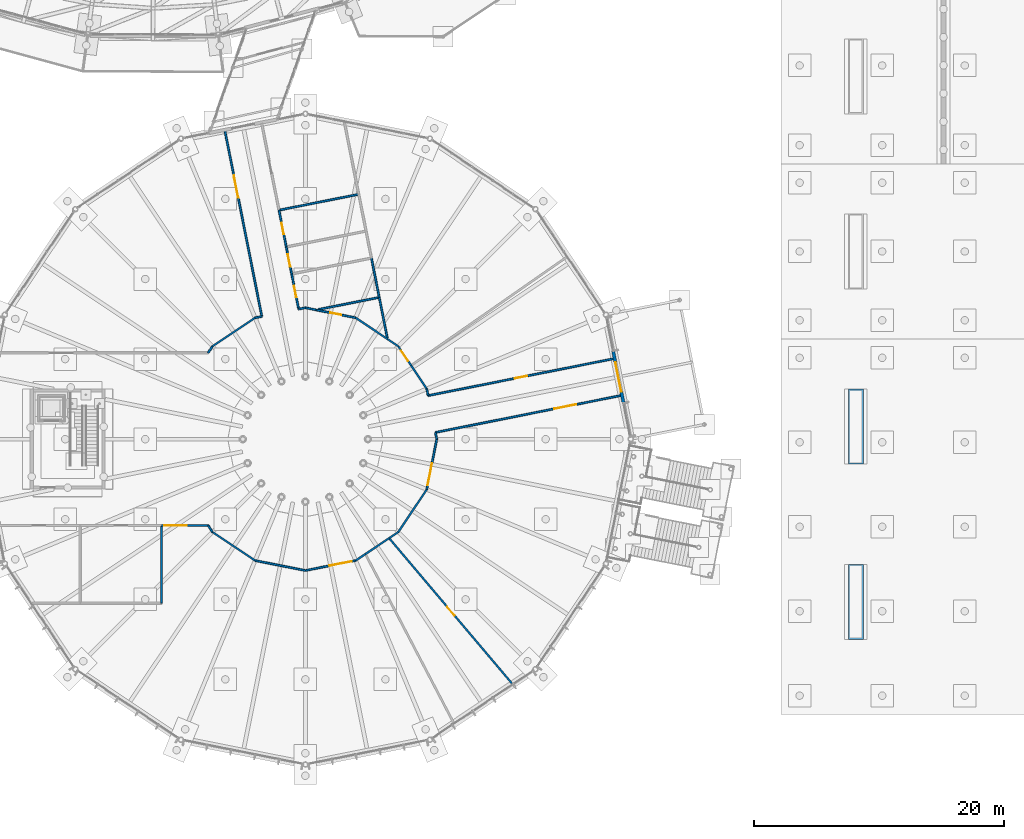
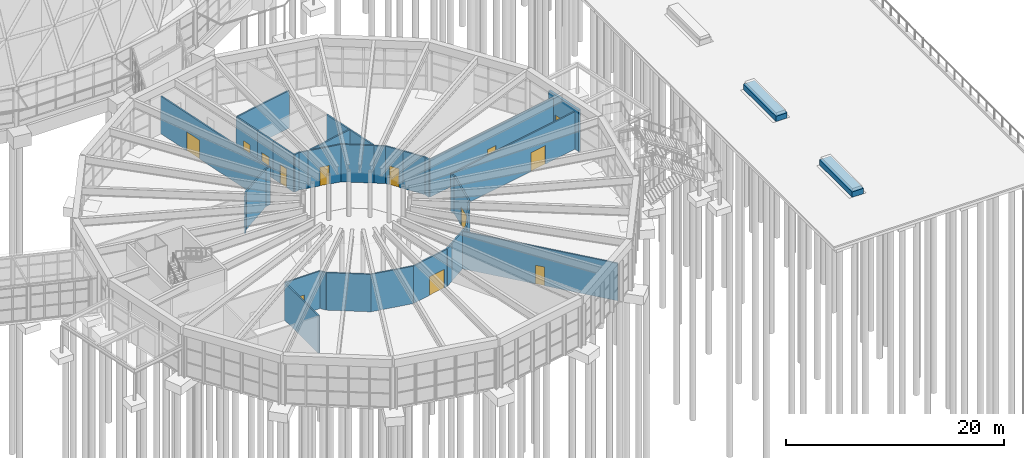
# One storey, part 173 of 226: 37 walls, 13 doors, 13 openings.
"""IFC4 building model written with IfcOpenShell, lengths in metres."""

from ifc_helpers import new_model, si_unit, direction, frame, frame_2d, origin, place, context, subcontext, project, spatial, rectangle, extrude, material, layer, layer_set, type_object, element, fill, save


model = new_model("IFC4")

# Units and contexts
model_context = context("Model", 3, precision=1e-05, world=origin(), true_north=direction((0.0, 1.0)))
body_context = subcontext(model_context, "Body", "Model", "MODEL_VIEW")
ifc_project = project(units=[si_unit("LENGTHUNIT", "METRE"), si_unit("AREAUNIT", "SQUARE_METRE"), si_unit("VOLUMEUNIT", "CUBIC_METRE"), si_unit("PLANEANGLEUNIT", "RADIAN"), si_unit("MASSUNIT", "GRAM", prefix="KILO")], contexts=[model_context])

# Site, building, storey
site_placement = place(None, origin())
site = spatial("IfcSite", under=ifc_project, at=site_placement, CompositionType="ELEMENT")
building_placement = place(site_placement, origin())
building = spatial("IfcBuilding", under=site, at=building_placement, Name="Ceibo Conservatory and Research Tower", CompositionType="ELEMENT")
storey_placement = place(building_placement, origin())
storey = spatial("IfcBuildingStorey", under=building, at=storey_placement, Name="L00", CompositionType="ELEMENT", Elevation=0.0)

# Wall, opening, door
ifc_material_1 = material(Name="Plasterboard on metal studs, fire board")
ifc_layer_1 = layer(ifc_material_1, 0.14990234375)
ifc_layer_set_1 = layer_set([ifc_layer_1], Name="Plasterboard on metal studs, fire board")
wall_type_1 = type_object("IfcWallType", Name="Corridor wall 150 EI 60", PredefinedType="PARTITIONING", material=ifc_layer_set_1)
wall_1_placement = place(storey_placement, frame((168.85693359375, 46.32958984375, 0.0), z_axis=(0.0, 0.0, 1.0), x_axis=(0.980781167848, -0.19511099609, 0.0)))
wall_1 = element("IfcWall", 1, at=wall_1_placement, inside=storey, type_object=wall_type_1, Name="Partition 00.001", PredefinedType="PARTITIONING", context=body_context, shape_type="SweptSolid", body=[
    extrude(rectangle(XDim=3.223388671875, YDim=0.14990234375, at=frame_2d((1.61181640625, 0.0))), origin(), (0.0, 0.0, 1.0), 4.199951171875),
])
opening_1_placement = place(wall_1_placement, frame((1.16162109375, 0.0, 0.0)))
opening_1 = element("IfcOpeningElement", 2, at=opening_1_placement, cuts=wall_1, Name="Opening VC00-02", PredefinedType="OPENING", context=body_context, shape_type="SweptSolid", body=[
    extrude(rectangle(XDim=0.89990234375, YDim=2.10009765625, at=frame_2d((0.449951171875, 1.050048828125))), frame((0.0, 0.0849609375, 0.0), z_axis=(0.0, -1.0, 0.0), x_axis=(1.0, 0.0, 0.0)), (0.0, 0.0, 1.0), 0.169921875),
])
ifc_material_2 = material(Name="Galvanised sheet steel DX51D", Category="steel")
door_type_1 = type_object("IfcDoorType", Name="Door fire single 900x2100 EI 60 (left hand)", OperationType="SINGLE_SWING_LEFT", PredefinedType="DOOR", material=ifc_material_2)
door_1_placement = place(opening_1_placement, origin())
door_1 = element("IfcDoor", 3, at=door_1_placement, inside=storey, type_object=door_type_1, Name="Visitor Centre Women's WC door", OperationType="SINGLE_SWING_LEFT", OverallHeight=2.10009765625, OverallWidth=0.89990234375, PredefinedType="DOOR", context=body_context, shape_type="SweptSolid", body=[
    extrude(rectangle(XDim=0.89990234375, YDim=2.10009765625, at=frame_2d((0.449951171875, 1.050048828125))), frame((0.0, 0.02490234375, 0.0), z_axis=(0.0, -1.0, 0.0), x_axis=(1.0, 0.0, 0.0)), (0.0, 0.0, 1.0), 0.050048828125),
])
fill(opening_1, door_1)

# Walls
wall_2_placement = place(storey_placement, frame((172.018310546875, 45.70068359375, 0.0), z_axis=(0.0, 0.0, 1.0), x_axis=(0.831461363182, -0.555582578503, 0.0)))
element("IfcWall", 4, at=wall_2_placement, inside=storey, type_object=wall_type_1, Name="Partition 00.002", PredefinedType="PARTITIONING", context=body_context, shape_type="SweptSolid", body=[
    extrude(rectangle(XDim=3.063720703125, YDim=0.14990234375, at=frame_2d((1.53173828125, 0.0))), origin(), (0.0, 0.0, 1.0), 4.199951171875),
])
wall_3_placement = place(storey_placement, frame((167.463134765625, 46.393310546875, 0.0), z_axis=(0.0, 0.0, 1.0), x_axis=(0.980820110425, 0.194915137906, 0.0)))
element("IfcWall", 5, at=wall_3_placement, inside=storey, type_object=wall_type_1, Name="Partition 00.003", PredefinedType="PARTITIONING", context=body_context, shape_type="SweptSolid", body=[
    extrude(rectangle(XDim=0.54736328125, YDim=0.14990234375, at=frame_2d((0.273681640625, 0.0))), origin(), (0.0, 0.0, 1.0), 4.199951171875),
])
wall_4_placement = place(storey_placement, frame((168.0, 46.5, 0.0), z_axis=(0.0, 0.0, 1.0), x_axis=(0.980804386409, -0.194994245046, 0.0)))
element("IfcWall", 6, at=wall_4_placement, inside=storey, type_object=wall_type_1, Name="Partition 00.004", PredefinedType="PARTITIONING", context=body_context, shape_type="SweptSolid", body=[
    extrude(rectangle(XDim=0.87890625, YDim=0.14990234375, at=frame_2d((0.439453125, 0.0))), origin(), (0.0, 0.0, 1.0), 4.199951171875),
])
wall_5_placement = place(storey_placement, frame((176.451171875, 41.888427734375, 0.0), z_axis=(0.0, 0.0, 1.0), x_axis=(0.555551594428, -0.831482065909, 0.0)))
element("IfcWall", 7, at=wall_5_placement, inside=storey, type_object=wall_type_1, Name="Partition 00.005", PredefinedType="PARTITIONING", context=body_context, shape_type="SweptSolid", body=[
    extrude(rectangle(XDim=2.2490234375, YDim=0.14990234375, at=frame_2d((1.12451171875, 0.0))), origin(), (0.0, 0.0, 1.0), 4.199951171875),
])
wall_6_placement = place(storey_placement, frame((177.70068359375, 40.018310546875, 0.0), z_axis=(0.0, 0.0, 1.0), x_axis=(0.194917863486, -0.980819568776, 0.0)))
element("IfcWall", 8, at=wall_6_placement, inside=storey, type_object=wall_type_1, Name="Partition 00.006", PredefinedType="PARTITIONING", context=body_context, shape_type="SweptSolid", body=[
    extrude(rectangle(XDim=0.548583984375, YDim=0.14990234375, at=frame_2d((0.2744140625, 0.0))), origin(), (0.0, 0.0, 1.0), 4.199951171875),
])
wall_7_placement = place(storey_placement, frame((174.565673828125, 43.99853515625, 0.0), z_axis=(0.0, 0.0, 1.0), x_axis=(0.831431667018, -0.555627017953, 0.0)))
element("IfcWall", 9, at=wall_7_placement, inside=storey, type_object=wall_type_1, Name="Partition 00.007", PredefinedType="PARTITIONING", context=body_context, shape_type="SweptSolid", body=[
    extrude(rectangle(XDim=1.032958984375, YDim=0.14990234375, at=frame_2d((0.5166015625, 0.0))), origin(), (0.0, 0.0, 1.0), 4.199951171875),
])

# Wall, opening, door
wall_8_placement = place(storey_placement, frame((175.424560546875, 43.424560546875, 0.0), z_axis=(0.0, 0.0, 1.0), x_axis=(0.555645141411, -0.831419555234, 0.0)))
wall_8 = element("IfcWall", 10, at=wall_8_placement, inside=storey, type_object=wall_type_1, Name="Partition 00.008", PredefinedType="PARTITIONING", context=body_context, shape_type="SweptSolid", body=[
    extrude(rectangle(XDim=1.84765625, YDim=0.14990234375, at=frame_2d((0.923828125, 0.0))), origin(), (0.0, 0.0, 1.0), 4.199951171875),
])
opening_2_placement = place(wall_8_placement, frame((0.423828125, 0.0, 0.0)))
opening_2 = element("IfcOpeningElement", 11, at=opening_2_placement, cuts=wall_8, Name="Opening VC00-10", PredefinedType="OPENING", context=body_context, shape_type="SweptSolid", body=[
    extrude(rectangle(XDim=1.0, YDim=2.10009765625, at=frame_2d((0.5, 1.050048828125))), frame((0.0, 0.0849609375, 0.0), z_axis=(0.0, -1.0, 0.0), x_axis=(1.0, 0.0, 0.0)), (0.0, 0.0, 1.0), 0.169921875),
])
door_type_2 = type_object("IfcDoorType", Name="Door fire single wide 1000x2100 EI 60 (right hand)", OperationType="SINGLE_SWING_RIGHT", PredefinedType="DOOR", material=ifc_material_2)
door_2_placement = place(opening_2_placement, origin())
door_2 = element("IfcDoor", 12, at=door_2_placement, inside=storey, type_object=door_type_2, Name="Visitor Centre Shop door", OperationType="SINGLE_SWING_RIGHT", OverallHeight=2.10009765625, OverallWidth=1.0, PredefinedType="DOOR", context=body_context, shape_type="SweptSolid", body=[
    extrude(rectangle(XDim=1.0, YDim=2.10009765625, at=frame_2d((0.5, 1.050048828125))), frame((0.0, 0.02490234375, 0.0), z_axis=(0.0, -1.0, 0.0), x_axis=(1.0, 0.0, 0.0)), (0.0, 0.0, 1.0), 0.050048828125),
])
fill(opening_2, door_2)

# Walls
wall_9_placement = place(storey_placement, frame((160.224853515625, 42.89990234375, 0.0), z_axis=(0.0, 0.0, 1.0), x_axis=(0.555592729971, 0.83145457988, 0.0)))
element("IfcWall", 13, at=wall_9_placement, inside=storey, type_object=wall_type_1, Name="Partition 00.009", PredefinedType="PARTITIONING", context=body_context, shape_type="SweptSolid", body=[
    extrude(rectangle(XDim=0.631103515625, YDim=0.14990234375, at=frame_2d((0.3154296875, 0.0))), origin(), (0.0, 0.0, 1.0), 4.199951171875),
])
wall_10_placement = place(storey_placement, frame((160.575439453125, 43.424560546875, 0.0), z_axis=(0.0, 0.0, 1.0), x_axis=(0.831453875311, 0.55559378437, 0.0)))
element("IfcWall", 14, at=wall_10_placement, inside=storey, type_object=wall_type_1, Name="Partition 00.010", PredefinedType="PARTITIONING", context=body_context, shape_type="SweptSolid", body=[
    extrude(rectangle(XDim=4.0966796875, YDim=0.14990234375, at=frame_2d((2.04833984375, 0.0))), origin(), (0.0, 0.0, 1.0), 4.199951171875),
])
wall_11_placement = place(storey_placement, frame((163.981689453125, 45.70068359375, 0.0), z_axis=(0.0, 0.0, 1.0), x_axis=(0.980819568776, 0.194917863486, 0.0)))
element("IfcWall", 15, at=wall_11_placement, inside=storey, type_object=wall_type_1, Name="Partition 00.011", PredefinedType="PARTITIONING", context=body_context, shape_type="SweptSolid", body=[
    extrude(rectangle(XDim=0.548583984375, YDim=0.14990234375, at=frame_2d((0.2744140625, 0.0))), origin(), (0.0, 0.0, 1.0), 4.199951171875),
])
wall_12_placement = place(storey_placement, frame((172.796630859375, 26.819580078125, 0.0), z_axis=(0.0, 0.0, 1.0), x_axis=(-0.831367624569, -0.555722838129, 0.0)))
element("IfcWall", 16, at=wall_12_placement, inside=storey, type_object=wall_type_1, Name="Partition 00.012", PredefinedType="PARTITIONING", context=body_context, shape_type="SweptSolid", body=[
    extrude(rectangle(XDim=0.936279296875, YDim=0.14990234375, at=frame_2d((0.46826171875, 0.0))), origin(), (0.0, 0.0, 1.0), 4.199951171875),
])

# Wall, opening, door
wall_13_placement = place(storey_placement, frame((172.018310546875, 26.29931640625, 0.0), z_axis=(0.0, 0.0, 1.0), x_axis=(-0.980784124851, -0.195096131281, 0.0)))
wall_13 = element("IfcWall", 17, at=wall_13_placement, inside=storey, type_object=wall_type_1, Name="Partition 00.013", PredefinedType="PARTITIONING", context=body_context, shape_type="SweptSolid", body=[
    extrude(rectangle(XDim=4.096923828125, YDim=0.14990234375, at=frame_2d((2.04833984375, 0.0))), origin(), (0.0, 0.0, 1.0), 4.199951171875),
])
opening_3_placement = place(wall_13_placement, frame((0.3291015625, 0.0, 0.0)))
opening_3 = element("IfcOpeningElement", 18, at=opening_3_placement, cuts=wall_13, Name="Opening VC00-13", PredefinedType="OPENING", context=body_context, shape_type="SweptSolid", body=[
    extrude(rectangle(XDim=1.800048828125, YDim=2.10009765625, at=frame_2d((0.89990234375, 1.050048828125))), frame((0.0, 0.0849609375, 0.0), z_axis=(0.0, -1.0, 0.0), x_axis=(1.0, 0.0, 0.0)), (0.0, 0.0, 1.0), 0.169921875),
])
door_type_3 = type_object("IfcDoorType", Name="Door fire double 1800x2100 EI 60", OperationType="DOUBLE_DOOR_SINGLE_SWING", PredefinedType="DOOR", material=ifc_material_2)
door_3_placement = place(opening_3_placement, frame((1.800048828125, 0.0, 0.0), z_axis=(0.0, 0.0, 1.0), x_axis=(-1.0, 0.0, 0.0)))
door_3 = element("IfcDoor", 19, at=door_3_placement, inside=storey, type_object=door_type_3, Name="Visitor Centre Orientation Exhibition door", OperationType="DOUBLE_DOOR_SINGLE_SWING", OverallHeight=2.10009765625, OverallWidth=1.800048828125, PredefinedType="DOOR", context=body_context, shape_type="SweptSolid", body=[
    extrude(rectangle(XDim=1.800048828125, YDim=2.10009765625, at=frame_2d((0.89990234375, 1.050048828125))), frame((0.0, 0.02490234375, 0.0), z_axis=(0.0, -1.0, 0.0), x_axis=(1.0, 0.0, 0.0)), (0.0, 0.0, 1.0), 0.050048828125),
])
fill(opening_3, door_3)

# Walls
wall_14_placement = place(storey_placement, frame((168.0, 25.5, 0.0), z_axis=(0.0, 0.0, 1.0), x_axis=(-0.980784124851, 0.195096131281, 0.0)))
element("IfcWall", 20, at=wall_14_placement, inside=storey, type_object=wall_type_1, Name="Partition 00.014", PredefinedType="PARTITIONING", context=body_context, shape_type="SweptSolid", body=[
    extrude(rectangle(XDim=4.096923828125, YDim=0.14990234375, at=frame_2d((2.04833984375, 0.0))), origin(), (0.0, 0.0, 1.0), 4.199951171875),
])
wall_15_placement = place(storey_placement, frame((163.981689453125, 26.29931640625, 0.0), z_axis=(0.0, 0.0, 1.0), x_axis=(-0.831453875311, 0.55559378437, 0.0)))
element("IfcWall", 21, at=wall_15_placement, inside=storey, type_object=wall_type_1, Name="Partition 00.015", PredefinedType="PARTITIONING", context=body_context, shape_type="SweptSolid", body=[
    extrude(rectangle(XDim=4.0966796875, YDim=0.14990234375, at=frame_2d((2.04833984375, 0.0))), origin(), (0.0, 0.0, 1.0), 4.199951171875),
])
wall_16_placement = place(storey_placement, frame((160.575439453125, 28.575439453125, 0.0), z_axis=(0.0, 0.0, 1.0), x_axis=(-0.555592729971, 0.83145457988, 0.0)))
element("IfcWall", 22, at=wall_16_placement, inside=storey, type_object=wall_type_1, Name="Partition 00.016", PredefinedType="PARTITIONING", context=body_context, shape_type="SweptSolid", body=[
    extrude(rectangle(XDim=0.631103515625, YDim=0.14990234375, at=frame_2d((0.3154296875, 0.0))), origin(), (0.0, 0.0, 1.0), 4.199951171875),
])
wall_17_placement = place(storey_placement, frame((174.69189453125, 28.0859375, 0.0), z_axis=(0.0, 0.0, 1.0), x_axis=(-0.831473113589, -0.555564992939, 0.0)))
element("IfcWall", 23, at=wall_17_placement, inside=storey, type_object=wall_type_1, Name="Partition 00.017", PredefinedType="PARTITIONING", context=body_context, shape_type="SweptSolid", body=[
    extrude(rectangle(XDim=2.279296875, YDim=0.14990234375, at=frame_2d((1.1396484375, 0.0))), origin(), (0.0, 0.0, 1.0), 4.199951171875),
])
wall_18_placement = place(storey_placement, frame((178.39306640625, 36.537841796875, 0.0), z_axis=(0.0, 0.0, 1.0), x_axis=(0.195002978104, -0.980802650145, 0.0)))
element("IfcWall", 24, at=wall_18_placement, inside=storey, type_object=wall_type_1, Name="Partition 00.018", PredefinedType="PARTITIONING", context=body_context, shape_type="SweptSolid", body=[
    extrude(rectangle(XDim=0.54833984375, YDim=0.14990234375, at=frame_2d((0.274169921875, 0.0))), origin(), (0.0, 0.0, 1.0), 4.199951171875),
])

# Wall, opening, door
wall_19_placement = place(storey_placement, frame((178.5, 36.0, 0.0), z_axis=(0.0, 0.0, 1.0), x_axis=(-0.195096131281, -0.980784124851, 0.0)))
wall_19 = element("IfcWall", 25, at=wall_19_placement, inside=storey, type_object=wall_type_1, Name="Partition 00.019", PredefinedType="PARTITIONING", context=body_context, shape_type="SweptSolid", body=[
    extrude(rectangle(XDim=4.096923828125, YDim=0.14990234375, at=frame_2d((2.04833984375, 0.0))), origin(), (0.0, 0.0, 1.0), 4.199951171875),
])
opening_4_placement = place(wall_19_placement, frame((1.968017578125, 0.0, 0.0)))
opening_4 = element("IfcOpeningElement", 26, at=opening_4_placement, cuts=wall_19, Name="Opening VC00-16", PredefinedType="OPENING", context=body_context, shape_type="SweptSolid", body=[
    extrude(rectangle(XDim=1.800048828125, YDim=2.10009765625, at=frame_2d((0.89990234375, 1.050048828125))), frame((0.0, 0.0849609375, 0.0), z_axis=(0.0, -1.0, 0.0), x_axis=(1.0, 0.0, 0.0)), (0.0, 0.0, 1.0), 0.169921875),
])
door_4_placement = place(opening_4_placement, frame((1.800048828125, 0.0, 0.0), z_axis=(0.0, 0.0, 1.0), x_axis=(-1.0, 0.0, 0.0)))
door_4 = element("IfcDoor", 27, at=door_4_placement, inside=storey, type_object=door_type_3, Name="Visitor Centre Cafe door", OperationType="DOUBLE_DOOR_SINGLE_SWING", OverallHeight=2.10009765625, OverallWidth=1.800048828125, PredefinedType="DOOR", context=body_context, shape_type="SweptSolid", body=[
    extrude(rectangle(XDim=1.800048828125, YDim=2.10009765625, at=frame_2d((0.89990234375, 1.050048828125))), frame((0.0, 0.02490234375, 0.0), z_axis=(0.0, -1.0, 0.0), x_axis=(1.0, 0.0, 0.0)), (0.0, 0.0, 1.0), 0.050048828125),
])
fill(opening_4, door_4)

# Walls
wall_20_placement = place(storey_placement, frame((177.70068359375, 31.981689453125, 0.0), z_axis=(0.0, 0.0, 1.0), x_axis=(-0.55559378437, -0.831453875311, 0.0)))
element("IfcWall", 28, at=wall_20_placement, inside=storey, type_object=wall_type_1, Name="Partition 00.020", PredefinedType="PARTITIONING", context=body_context, shape_type="SweptSolid", body=[
    extrude(rectangle(XDim=4.0966796875, YDim=0.14990234375, at=frame_2d((2.04833984375, 0.0))), origin(), (0.0, 0.0, 1.0), 4.199951171875),
])
wall_21_placement = place(storey_placement, frame((175.424560546875, 28.575439453125, 0.0), z_axis=(0.0, 0.0, 1.0), x_axis=(-0.83149573337, -0.55553113809, 0.0)))
element("IfcWall", 29, at=wall_21_placement, inside=storey, type_object=wall_type_1, Name="Partition 00.021", PredefinedType="PARTITIONING", context=body_context, shape_type="SweptSolid", body=[
    extrude(rectangle(XDim=0.881103515625, YDim=0.14990234375, at=frame_2d((0.4404296875, 0.0))), origin(), (0.0, 0.0, 1.0), 4.199951171875),
])

# Wall, opening, door
wall_22_placement = place(storey_placement, frame((177.8076171875, 39.480224609375, 0.0), z_axis=(0.0, 0.0, 1.0), x_axis=(0.98078566725, 0.195088377196, 0.0)))
wall_22 = element("IfcWall", 30, at=wall_22_placement, inside=storey, type_object=wall_type_1, Name="Partition 00.022", PredefinedType="PARTITIONING", context=body_context, shape_type="SweptSolid", body=[
    extrude(rectangle(XDim=15.122314453125, YDim=0.14990234375, at=frame_2d((7.56103515625, 0.0))), origin(), (0.0, 0.0, 1.0), 4.199951171875),
])
opening_5_placement = place(wall_22_placement, frame((7.06103515625, 0.0, 0.0)))
opening_5 = element("IfcOpeningElement", 31, at=opening_5_placement, cuts=wall_22, Name="Opening VC00-09", PredefinedType="OPENING", context=body_context, shape_type="SweptSolid", body=[
    extrude(rectangle(XDim=1.0, YDim=2.10009765625, at=frame_2d((0.5, 1.050048828125))), frame((0.0, 0.0849609375, 0.0), z_axis=(0.0, -1.0, 0.0), x_axis=(1.0, 0.0, 0.0)), (0.0, 0.0, 1.0), 0.169921875),
])
door_type_4 = type_object("IfcDoorType", Name="Door fire single wide 1000x2100 EI 60 (left hand)", OperationType="SINGLE_SWING_LEFT", PredefinedType="DOOR", material=ifc_material_2)
door_5_placement = place(opening_5_placement, origin())
door_5 = element("IfcDoor", 32, at=door_5_placement, inside=storey, type_object=door_type_4, Name="Visitor Centre Children's Discovery Room door", OperationType="SINGLE_SWING_LEFT", OverallHeight=2.10009765625, OverallWidth=1.0, PredefinedType="DOOR", context=body_context, shape_type="SweptSolid", body=[
    extrude(rectangle(XDim=1.0, YDim=2.10009765625, at=frame_2d((0.5, 1.050048828125))), frame((0.0, 0.02490234375, 0.0), z_axis=(0.0, -1.0, 0.0), x_axis=(1.0, 0.0, 0.0)), (0.0, 0.0, 1.0), 0.050048828125),
])
fill(opening_5, door_5)

wall_23_placement = place(storey_placement, frame((193.224609375, 39.488037109375, 0.0), z_axis=(0.0, 0.0, 1.0), x_axis=(-0.98078505279, -0.195091466303, 0.0)))
wall_23 = element("IfcWall", 33, at=wall_23_placement, inside=storey, type_object=wall_type_1, Name="Partition 00.023", PredefinedType="PARTITIONING", context=body_context, shape_type="SweptSolid", body=[
    extrude(rectangle(XDim=15.1220703125, YDim=0.14990234375, at=frame_2d((7.56103515625, 0.0))), origin(), (0.0, 0.0, 1.0), 4.199951171875),
])
opening_6_placement = place(wall_23_placement, frame((3.63671875, 0.0, 0.0)))
opening_6 = element("IfcOpeningElement", 34, at=opening_6_placement, cuts=wall_23, Name="Opening VC00-15", PredefinedType="OPENING", context=body_context, shape_type="SweptSolid", body=[
    extrude(rectangle(XDim=1.800048828125, YDim=2.10009765625, at=frame_2d((0.89990234375, 1.050048828125))), frame((0.0, 0.0849609375, 0.0), z_axis=(0.0, -1.0, 0.0), x_axis=(1.0, 0.0, 0.0)), (0.0, 0.0, 1.0), 0.169921875),
])
door_6_placement = place(opening_6_placement, frame((1.800048828125, 0.0, 0.0), z_axis=(0.0, 0.0, 1.0), x_axis=(-1.0, 0.0, 0.0)))
door_6 = element("IfcDoor", 35, at=door_6_placement, inside=storey, type_object=door_type_3, Name="Visitor Centre Cafe door", OperationType="DOUBLE_DOOR_SINGLE_SWING", OverallHeight=2.10009765625, OverallWidth=1.800048828125, PredefinedType="DOOR", context=body_context, shape_type="SweptSolid", body=[
    extrude(rectangle(XDim=1.800048828125, YDim=2.10009765625, at=frame_2d((0.89990234375, 1.050048828125))), frame((0.0, 0.02490234375, 0.0), z_axis=(0.0, -1.0, 0.0), x_axis=(1.0, 0.0, 0.0)), (0.0, 0.0, 1.0), 0.050048828125),
])
fill(opening_6, door_6)

wall_24_placement = place(storey_placement, frame((166.904052734375, 49.203857421875, 0.0), z_axis=(0.0, 0.0, 1.0), x_axis=(0.194756100978, -0.980851701906, 0.0)))
wall_24 = element("IfcWall", 36, at=wall_24_placement, inside=storey, type_object=wall_type_1, Name="Partition 00.024", PredefinedType="PARTITIONING", context=body_context, shape_type="SweptSolid", body=[
    extrude(rectangle(XDim=2.86572265625, YDim=0.14990234375, at=frame_2d((1.432861328125, 0.0))), origin(), (0.0, 0.0, 1.0), 4.199951171875),
])
opening_7_placement = place(wall_24_placement, frame((0.98291015625, 0.0, 0.0)))
opening_7 = element("IfcOpeningElement", 37, at=opening_7_placement, cuts=wall_24, Name="Opening VC00-03", PredefinedType="OPENING", context=body_context, shape_type="SweptSolid", body=[
    extrude(rectangle(XDim=0.89990234375, YDim=2.10009765625, at=frame_2d((0.449951171875, 1.050048828125))), frame((0.0, 0.0849609375, 0.0), z_axis=(0.0, -1.0, 0.0), x_axis=(1.0, 0.0, 0.0)), (0.0, 0.0, 1.0), 0.169921875),
])
door_7_placement = place(opening_7_placement, origin())
door_7 = element("IfcDoor", 38, at=door_7_placement, inside=storey, type_object=door_type_1, Name="Visitor Centre Men's WC door", OperationType="SINGLE_SWING_LEFT", OverallHeight=2.10009765625, OverallWidth=0.89990234375, PredefinedType="DOOR", context=body_context, shape_type="SweptSolid", body=[
    extrude(rectangle(XDim=0.89990234375, YDim=2.10009765625, at=frame_2d((0.449951171875, 1.050048828125))), frame((0.0, 0.02490234375, 0.0), z_axis=(0.0, -1.0, 0.0), x_axis=(1.0, 0.0, 0.0)), (0.0, 0.0, 1.0), 0.050048828125),
])
fill(opening_7, door_7)

wall_25_placement = place(storey_placement, frame((166.474853515625, 51.361572265625, 0.0), z_axis=(0.0, 0.0, 1.0), x_axis=(0.195091656081, -0.98078501504, 0.0)))
wall_25 = element("IfcWall", 39, at=wall_25_placement, inside=storey, type_object=wall_type_1, Name="Partition 00.025", PredefinedType="PARTITIONING", context=body_context, shape_type="SweptSolid", body=[
    extrude(rectangle(XDim=2.199951171875, YDim=0.14990234375, at=frame_2d((1.10009765625, 0.0))), origin(), (0.0, 0.0, 1.0), 4.199951171875),
])
opening_8_placement = place(wall_25_placement, frame((0.60009765625, 0.0, 0.0)))
opening_8 = element("IfcOpeningElement", 40, at=opening_8_placement, cuts=wall_25, Name="Opening VC00-04", PredefinedType="OPENING", context=body_context, shape_type="SweptSolid", body=[
    extrude(rectangle(XDim=1.0, YDim=2.10009765625, at=frame_2d((0.5, 1.050048828125))), frame((0.0, 0.0849609375, 0.0), z_axis=(0.0, -1.0, 0.0), x_axis=(1.0, 0.0, 0.0)), (0.0, 0.0, 1.0), 0.169921875),
])
ifc_material_3 = material(Name="Solid timber", Category="wood")
door_type_5 = type_object("IfcDoorType", Name="Door accessible 1000x2100 (right hand)", OperationType="SINGLE_SWING_RIGHT", PredefinedType="DOOR", material=ifc_material_3)
door_8_placement = place(opening_8_placement, origin())
door_8 = element("IfcDoor", 41, at=door_8_placement, inside=storey, type_object=door_type_5, Name="Visitor Centre Accessible WC door", OperationType="SINGLE_SWING_RIGHT", OverallHeight=2.10009765625, OverallWidth=1.0, PredefinedType="DOOR", context=body_context, shape_type="SweptSolid", body=[
    extrude(rectangle(XDim=1.0, YDim=2.10009765625, at=frame_2d((0.5, 1.050048828125))), frame((0.0, 0.02490234375, 0.0), z_axis=(0.0, -1.0, 0.0), x_axis=(1.0, 0.0, 0.0)), (0.0, 0.0, 1.0), 0.050048828125),
])
fill(opening_8, door_8)

wall_26_placement = place(storey_placement, frame((165.889404296875, 54.303955078125, 0.0), z_axis=(0.0, 0.0, 1.0), x_axis=(0.195145756449, -0.98077425218, 0.0)))
wall_26 = element("IfcWall", 42, at=wall_26_placement, inside=storey, type_object=wall_type_1, Name="Partition 00.026", PredefinedType="PARTITIONING", context=body_context, shape_type="SweptSolid", body=[
    extrude(rectangle(XDim=3.0, YDim=0.14990234375, at=frame_2d((1.5, 0.0))), origin(), (0.0, 0.0, 1.0), 4.199951171875),
])
opening_9_placement = place(wall_26_placement, frame((1.050048828125, 0.0, 0.0)))
opening_9 = element("IfcOpeningElement", 43, at=opening_9_placement, cuts=wall_26, Name="Opening VC00-05", PredefinedType="OPENING", context=body_context, shape_type="SweptSolid", body=[
    extrude(rectangle(XDim=0.89990234375, YDim=2.10009765625, at=frame_2d((0.449951171875, 1.050048828125))), frame((0.0, 0.0849609375, 0.0), z_axis=(0.0, -1.0, 0.0), x_axis=(1.0, 0.0, 0.0)), (0.0, 0.0, 1.0), 0.169921875),
])
door_9_placement = place(opening_9_placement, origin())
door_9 = element("IfcDoor", 44, at=door_9_placement, inside=storey, type_object=door_type_1, Name="Visitor Centre Staff Room door", OperationType="SINGLE_SWING_LEFT", OverallHeight=2.10009765625, OverallWidth=0.89990234375, PredefinedType="DOOR", context=body_context, shape_type="SweptSolid", body=[
    extrude(rectangle(XDim=0.89990234375, YDim=2.10009765625, at=frame_2d((0.449951171875, 1.050048828125))), frame((0.0, 0.02490234375, 0.0), z_axis=(0.0, -1.0, 0.0), x_axis=(1.0, 0.0, 0.0)), (0.0, 0.0, 1.0), 0.050048828125),
])
fill(opening_9, door_9)

wall_27_placement = place(storey_placement, frame((164.519775390625, 45.8076171875, 0.0), z_axis=(0.0, 0.0, 1.0), x_axis=(-0.195088377196, 0.98078566725, 0.0)))
wall_27 = element("IfcWall", 45, at=wall_27_placement, inside=storey, type_object=wall_type_1, Name="Partition 00.028", PredefinedType="PARTITIONING", context=body_context, shape_type="SweptSolid", body=[
    extrude(rectangle(XDim=15.122314453125, YDim=0.14990234375, at=frame_2d((7.56103515625, 0.0))), origin(), (0.0, 0.0, 1.0), 4.199951171875),
])
opening_10_placement = place(wall_27_placement, frame((9.685546875, 0.0, 0.0)))
opening_10 = element("IfcOpeningElement", 46, at=opening_10_placement, cuts=wall_27, Name="Opening VC00-12", PredefinedType="OPENING", context=body_context, shape_type="SweptSolid", body=[
    extrude(rectangle(XDim=1.800048828125, YDim=2.10009765625, at=frame_2d((0.89990234375, 1.050048828125))), frame((0.0, 0.0849609375, 0.0), z_axis=(0.0, -1.0, 0.0), x_axis=(1.0, 0.0, 0.0)), (0.0, 0.0, 1.0), 0.169921875),
])
door_10_placement = place(opening_10_placement, frame((1.800048828125, 0.0, 0.0), z_axis=(0.0, 0.0, 1.0), x_axis=(-1.0, 0.0, 0.0)))
door_10 = element("IfcDoor", 47, at=door_10_placement, inside=storey, type_object=door_type_3, Name="Visitor Centre Temporary Exhibition door", OperationType="DOUBLE_DOOR_SINGLE_SWING", OverallHeight=2.10009765625, OverallWidth=1.800048828125, PredefinedType="DOOR", context=body_context, shape_type="SweptSolid", body=[
    extrude(rectangle(XDim=1.800048828125, YDim=2.10009765625, at=frame_2d((0.89990234375, 1.050048828125))), frame((0.0, 0.02490234375, 0.0), z_axis=(0.0, -1.0, 0.0), x_axis=(1.0, 0.0, 0.0)), (0.0, 0.0, 1.0), 0.050048828125),
])
fill(opening_10, door_10)

wall_28_placement = place(storey_placement, frame((160.224853515625, 29.10009765625, 0.0), z_axis=(0.0, 0.0, 1.0), x_axis=(-1.0, 0.0, 0.0)))
wall_28 = element("IfcWall", 48, at=wall_28_placement, inside=storey, type_object=wall_type_1, Name="Partition 00.032", PredefinedType="PARTITIONING", context=body_context, shape_type="SweptSolid", body=[
    extrude(rectangle(XDim=3.724853515625, YDim=0.14990234375, at=frame_2d((1.8623046875, 0.0))), origin(), (0.0, 0.0, 1.0), 4.199951171875),
])
opening_11_placement = place(wall_28_placement, frame((1.70751953125, 0.0, 0.0)))
opening_11 = element("IfcOpeningElement", 49, at=opening_11_placement, cuts=wall_28, Name="Opening VC00-14", PredefinedType="OPENING", context=body_context, shape_type="SweptSolid", body=[
    extrude(rectangle(XDim=1.800048828125, YDim=2.10009765625, at=frame_2d((0.89990234375, 1.050048828125))), frame((0.0, 0.0849609375, 0.0), z_axis=(0.0, -1.0, 0.0), x_axis=(1.0, 0.0, 0.0)), (0.0, 0.0, 1.0), 0.169921875),
])
door_11_placement = place(opening_11_placement, frame((1.800048828125, 0.0, 0.0), z_axis=(0.0, 0.0, 1.0), x_axis=(-1.0, 0.0, 0.0)))
door_11 = element("IfcDoor", 50, at=door_11_placement, inside=storey, type_object=door_type_3, Name="Visitor Centre Orientation Exhibition door", OperationType="DOUBLE_DOOR_SINGLE_SWING", OverallHeight=2.10009765625, OverallWidth=1.800048828125, PredefinedType="DOOR", context=body_context, shape_type="SweptSolid", body=[
    extrude(rectangle(XDim=1.800048828125, YDim=2.10009765625, at=frame_2d((0.89990234375, 1.050048828125))), frame((0.0, 0.02490234375, 0.0), z_axis=(0.0, -1.0, 0.0), x_axis=(1.0, 0.0, 0.0)), (0.0, 0.0, 1.0), 0.050048828125),
])
fill(opening_11, door_11)

# Walls
wall_29_placement = place(storey_placement, frame((169.044189453125, 46.366943359375, 0.0), z_axis=(0.0, 0.0, 1.0), x_axis=(0.980787794487, 0.195077682439, 0.0)))
element("IfcWall", 51, at=wall_29_placement, inside=storey, type_object=wall_type_1, Name="Partition 00.033", PredefinedType="PARTITIONING", context=body_context, shape_type="SweptSolid", body=[
    extrude(rectangle(XDim=4.88330078125, YDim=0.14990234375, at=frame_2d((2.441650390625, 0.0))), origin(), (0.0, 0.0, 1.0), 4.199951171875),
])
wall_30_placement = place(storey_placement, frame((173.90234375, 47.333251953125, 0.0), z_axis=(0.0, 0.0, 1.0), x_axis=(0.195077109097, -0.980787908524, 0.0)))
element("IfcWall", 52, at=wall_30_placement, inside=storey, type_object=wall_type_1, Name="Partition 00.034", PredefinedType="PARTITIONING", context=body_context, shape_type="SweptSolid", body=[
    extrude(rectangle(XDim=3.299072265625, YDim=0.14990234375, at=frame_2d((1.6494140625, 0.0))), origin(), (0.0, 0.0, 1.0), 4.199951171875),
])
wall_31_placement = place(storey_placement, frame((173.278076171875, 50.4716796875, 0.0), z_axis=(0.0, 0.0, 1.0), x_axis=(0.195088965533, -0.980785550224, 0.0)))
element("IfcWall", 53, at=wall_31_placement, inside=storey, type_object=wall_type_1, Name="Partition 00.036", PredefinedType="PARTITIONING", context=body_context, shape_type="SweptSolid", body=[
    extrude(rectangle(XDim=3.199951171875, YDim=0.14990234375, at=frame_2d((1.60009765625, 0.0))), origin(), (0.0, 0.0, 1.0), 4.199951171875),
])
wall_32_placement = place(storey_placement, frame((165.958251953125, 54.317626953125, 0.0), z_axis=(0.0, 0.0, 1.0), x_axis=(0.980786870327, 0.195082328758, 0.0)))
element("IfcWall", 54, at=wall_32_placement, inside=storey, type_object=wall_type_1, Name="Partition 00.039", PredefinedType="PARTITIONING", context=body_context, shape_type="SweptSolid", body=[
    extrude(rectangle(XDim=6.358642578125, YDim=0.14990234375, at=frame_2d((3.17919921875, 0.0))), origin(), (0.0, 0.0, 1.0), 4.199951171875),
])
wall_33_placement = place(storey_placement, frame((156.5, 29.030029296875, 0.0), z_axis=(0.0, 0.0, 1.0), x_axis=(0.0, -1.0, 0.0)))
element("IfcWall", 55, at=wall_33_placement, inside=storey, type_object=wall_type_1, Name="Partition 00.044", PredefinedType="PARTITIONING", context=body_context, shape_type="SweptSolid", body=[
    extrude(rectangle(XDim=6.130126953125, YDim=0.14990234375, at=frame_2d((3.06494140625, 0.0))), origin(), (0.0, 0.0, 1.0), 4.199951171875),
])

# Wall, opening, door
wall_34_placement = place(storey_placement, frame((174.737548828125, 28.031982421875, 0.0), z_axis=(0.0, 0.0, 1.0), x_axis=(0.645681391893, -0.763606927786, 0.0)))
wall_34 = element("IfcWall", 56, at=wall_34_placement, inside=storey, type_object=wall_type_1, Name="Partition 00.048", PredefinedType="PARTITIONING", context=body_context, shape_type="SweptSolid", body=[
    extrude(rectangle(XDim=15.1484375, YDim=0.14990234375, at=frame_2d((7.57421875, 0.0))), origin(), (0.0, 0.0, 1.0), 4.199951171875),
])
opening_12_placement = place(wall_34_placement, frame((7.124267578125, 0.0, 0.0)))
opening_12 = element("IfcOpeningElement", 57, at=opening_12_placement, cuts=wall_34, Name="Opening VC00-01", PredefinedType="OPENING", context=body_context, shape_type="SweptSolid", body=[
    extrude(rectangle(XDim=0.89990234375, YDim=2.10009765625, at=frame_2d((0.449951171875, 1.050048828125))), frame((0.0, 0.0849609375, 0.0), z_axis=(0.0, -1.0, 0.0), x_axis=(1.0, 0.0, 0.0)), (0.0, 0.0, 1.0), 0.169921875),
])
door_12_placement = place(opening_12_placement, frame((0.89990234375, 0.0, 0.0), z_axis=(0.0, 0.0, 1.0), x_axis=(-1.0, 0.0, 0.0)))
door_12 = element("IfcDoor", 58, at=door_12_placement, inside=storey, type_object=door_type_1, Name="Kitchen door", OperationType="SINGLE_SWING_LEFT", OverallHeight=2.10009765625, OverallWidth=0.89990234375, PredefinedType="DOOR", context=body_context, shape_type="SweptSolid", body=[
    extrude(rectangle(XDim=0.89990234375, YDim=2.10009765625, at=frame_2d((0.449951171875, 1.050048828125))), frame((0.0, 0.02490234375, 0.0), z_axis=(0.0, -1.0, 0.0), x_axis=(1.0, 0.0, 0.0)), (0.0, 0.0, 1.0), 0.050048828125),
])
fill(opening_12, door_12)

ifc_material_4 = material(Name="Concrete C35/45", Category="concrete")
ifc_layer_2 = layer(ifc_material_4, 0.25)
ifc_layer_set_2 = layer_set([ifc_layer_2], Name="Concrete C35/45")
wall_type_2 = type_object("IfcWallType", Name="Pavilion entrance stub wall 250", PredefinedType="SOLIDWALL", material=ifc_layer_set_2)
wall_35_placement = place(storey_placement, frame((193.420166015625, 38.915283203125, 0.0), z_axis=(0.0, 0.0, 1.0), x_axis=(-0.195087556151, 0.980785830564, 0.0)))
wall_35 = element("IfcWall", 59, at=wall_35_placement, inside=storey, type_object=wall_type_2, Name="Pavilion entrance wall VC-W01", PredefinedType="SOLIDWALL", context=body_context, shape_type="SweptSolid", body=[
    extrude(rectangle(XDim=4.199951171875, YDim=0.25, at=frame_2d((2.10009765625, 0.0))), origin(), (0.0, 0.0, 1.0), 4.64892578125),
])
opening_13_placement = place(wall_35_placement, frame((0.89990234375, 0.0, 0.0)))
opening_13 = element("IfcOpeningElement", 60, at=opening_13_placement, cuts=wall_35, Name="Opening VC-D01", PredefinedType="OPENING", context=body_context, shape_type="SweptSolid", body=[
    extrude(rectangle(XDim=2.39990234375, YDim=2.39990234375, at=frame_2d((1.199951171875, 1.199951171875))), frame((0.0, 0.135009765625, 0.0), z_axis=(0.0, -1.0, 0.0), x_axis=(1.0, 0.0, 0.0)), (0.0, 0.0, 1.0), 0.27001953125),
])
ifc_material_5 = material(Name="Aluminium and glass", Category="aluminium")
door_type_6 = type_object("IfcDoorType", Name="Pavilion entrance double door 2400x2400", OperationType="DOUBLE_DOOR_SINGLE_SWING", PredefinedType="DOOR", material=ifc_material_5)
door_13_placement = place(opening_13_placement, frame((2.39990234375, 0.0, 0.0), z_axis=(0.0, 0.0, 1.0), x_axis=(-1.0, 0.0, 0.0)))
door_13 = element("IfcDoor", 61, at=door_13_placement, inside=storey, type_object=door_type_6, Name="Pavilion door VC-D01", OperationType="DOUBLE_DOOR_SINGLE_SWING", OverallHeight=2.39990234375, OverallWidth=2.39990234375, PredefinedType="DOOR", context=body_context, shape_type="SweptSolid", body=[
    extrude(rectangle(XDim=2.39990234375, YDim=2.39990234375, at=frame_2d((1.199951171875, 1.199951171875))), frame((0.0, 0.02490234375, 0.0), z_axis=(0.0, -1.0, 0.0), x_axis=(1.0, 0.0, 0.0)), (0.0, 0.0, 1.0), 0.050048828125),
])
fill(opening_13, door_13)

# Walls
ifc_material_6 = material(Name="Concrete C30/37", Category="concrete")
ifc_layer_3 = layer(ifc_material_6, 1.199951171875)
ifc_layer_set_3 = layer_set([ifc_layer_3], Name="Concrete C30/37")
wall_type_3 = type_object("IfcWallType", Name="Planter wall 1200", PredefinedType="PARAPET", material=ifc_layer_set_3)
for number, where, z_axis, x_axis, name in (
    (62, (212.0, 20.0, 0.0), (0.0, 0.0, 1.0), (0.0, 1.0, 0.0), "Planter 1"),
    (63, (212.0, 34.0, 0.0), (0.0, 0.0, 1.0), (0.0, 1.0, 0.0), "Planter 2"),
):
    element("IfcWall", number, at=place(storey_placement, frame(where, z_axis=z_axis, x_axis=x_axis)), inside=storey, type_object=wall_type_3, Name=name, PredefinedType="PARAPET", context=body_context, shape_type="SweptSolid", body=[
        extrude(rectangle(XDim=6.0, YDim=1.199951171875, at=frame_2d((3.0, 0.0))), origin(), (0.0, 0.0, 1.0), 0.60009765625),
    ])

save(model, "model.ifc")
